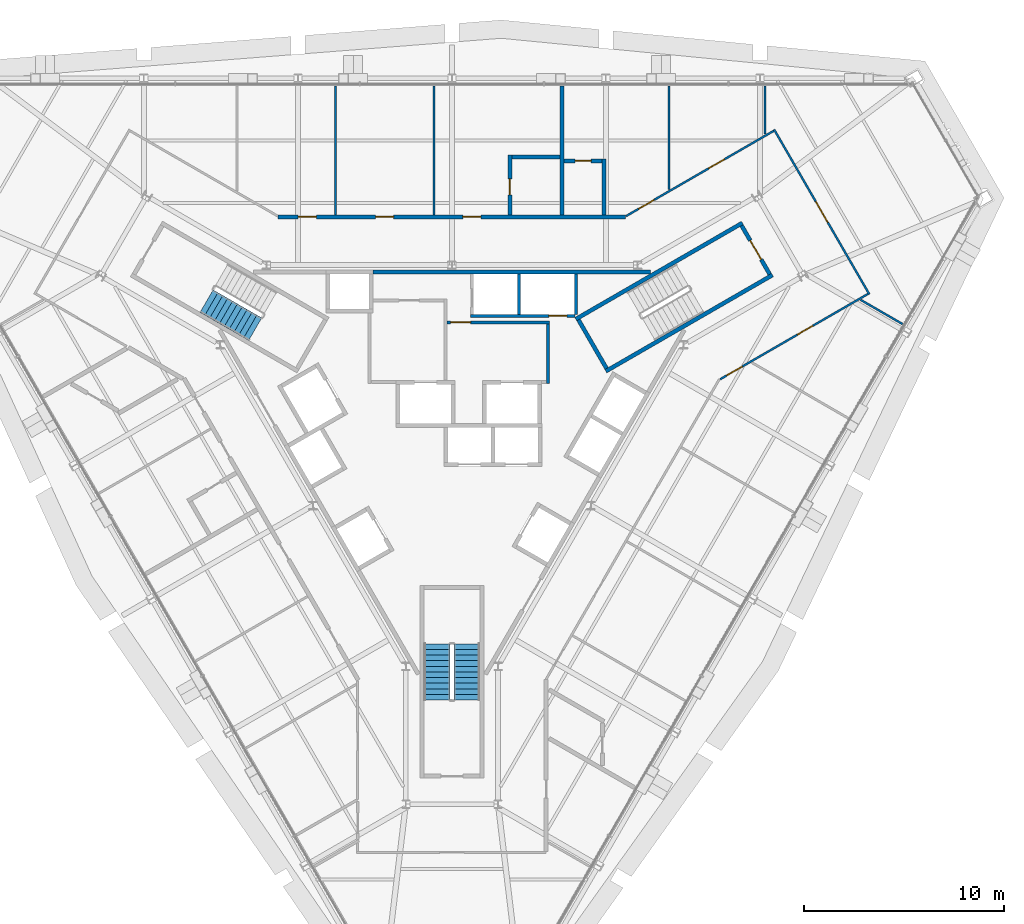
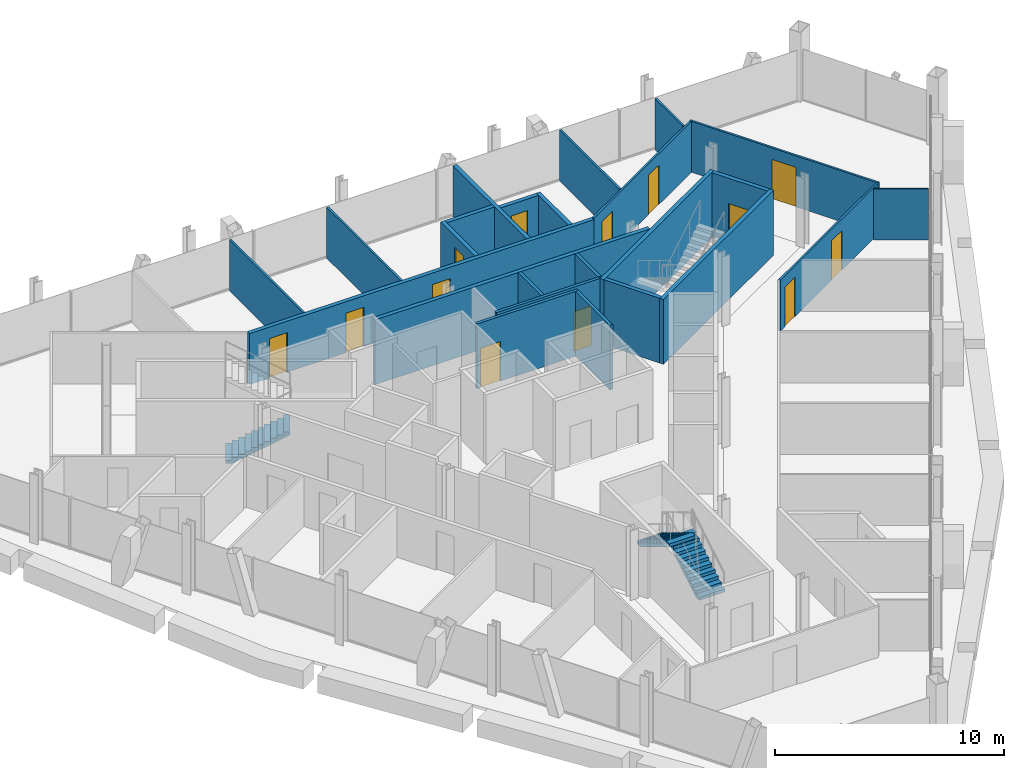
# One storey, part 10 of 13: 24 walls, 13 doors, 3 stair flights, 13 openings, 2 elements without a shape of their own.
"""IFC4 building model written with IfcOpenShell, lengths in metres."""

from ifc_helpers import new_model, si_unit, direction, frame, frame_2d, origin, place, context, subcontext, project, spatial, polyline, rectangle, outline, extrude, material, layer, layer_set, type_object, element, fill, aggregate, save


model = new_model("IFC4")

# Units and contexts
model_context = context("Model", 3, precision=1e-05, world=origin(), true_north=direction((0.0, 1.0)))
body_context = subcontext(model_context, "Body", "Model", "MODEL_VIEW")
ifc_project = project(units=[si_unit("LENGTHUNIT", "METRE"), si_unit("AREAUNIT", "SQUARE_METRE"), si_unit("VOLUMEUNIT", "CUBIC_METRE"), si_unit("PLANEANGLEUNIT", "RADIAN"), si_unit("MASSUNIT", "GRAM", prefix="KILO")], contexts=[model_context])

# Site, building, storey
site_placement = place(None, origin())
site = spatial("IfcSite", under=ifc_project, at=site_placement, CompositionType="ELEMENT")
building_placement = place(site_placement, origin())
building = spatial("IfcBuilding", under=site, at=building_placement, Name="Verrane Prism Tower", CompositionType="ELEMENT")
storey_placement = place(building_placement, frame((0.0, 0.0, 163.60009765625)))
storey = spatial("IfcBuildingStorey", under=building, at=storey_placement, Name="L40", CompositionType="ELEMENT", Elevation=163.60009765625)

# Wall
ifc_material_1 = material(Name="Gypsum board partition", Category="other")
ifc_layer_1 = layer(ifc_material_1, 0.199951171875)
ifc_layer_set_1 = layer_set([ifc_layer_1], Name="CW-200 core boundary wall 2 h")
wall_type_1 = type_object("IfcWallType", Name="CW-200 core boundary wall 2 h", PredefinedType="PARTITIONING", material=ifc_layer_set_1)
wall_1_placement = place(storey_placement, frame((-3.93310546875, 7.659912109375, 0.0), z_axis=(0.0, 0.0, 1.0), x_axis=(1.0, 0.0, 0.0)))
element("IfcWall", 1, at=wall_1_placement, inside=storey, type_object=wall_type_1, Name="Core boundary wall CW3-005", PredefinedType="PARTITIONING", context=body_context, shape_type="SweptSolid", body=[
    extrude(rectangle(XDim=13.841064453125, YDim=0.199951171875, at=frame_2d((6.92041015625, 0.0))), origin(), (0.0, 0.0, 1.0), 3.449951171875),
])

# Wall, opening, door
ifc_material_2 = material(Name="Concrete C40/50", Category="concrete")
ifc_layer_2 = layer(ifc_material_2, 0.199951171875)
ifc_layer_set_2 = layer_set([ifc_layer_2], Name="CW-200 stair core wall concrete C40/50 3 h")
wall_type_2 = type_object("IfcWallType", Name="CW-200 stair core wall concrete C40/50 3 h", PredefinedType="PARTITIONING", material=ifc_layer_set_2)
wall_2_placement = place(storey_placement, frame((15.85546875, 7.53759765625, 0.0), z_axis=(0.0, 0.0, 1.0), x_axis=(-0.500049511043, 0.865996816683, 0.0)))
wall_2 = element("IfcWall", 2, at=wall_2_placement, inside=storey, type_object=wall_type_2, Name="Stair 1 enclosure wall", PredefinedType="PARTITIONING", context=body_context, shape_type="SweptSolid", body=[
    extrude(rectangle(XDim=2.800048828125, YDim=0.199951171875, at=frame_2d((1.39990234375, 0.0))), origin(), (0.0, 0.0, 1.0), 3.449951171875),
])
opening_1_placement = place(wall_2_placement, frame((0.849853515625, 0.0, 0.0)))
opening_1 = element("IfcOpeningElement", 3, at=opening_1_placement, cuts=wall_2, Name="Opening D39500", PredefinedType="OPENING", context=body_context, shape_type="SweptSolid", body=[
    extrude(rectangle(XDim=1.10009765625, YDim=2.10009765625, at=frame_2d((0.550048828125, 1.050048828125))), frame((0.0, 0.10986328125, 0.0), z_axis=(0.0, -1.0, 0.0), x_axis=(1.0, 0.0, 0.0)), (0.0, 0.0, 1.0), 0.219970703125),
])
ifc_material_3 = material(Name="Timber veneered door leaf", Category="wood")
door_type_1 = type_object("IfcDoorType", Name="DR-1100x2100 FD90 single leaf stair", OperationType="NOTDEFINED", PredefinedType="DOOR", material=ifc_material_3)
door_1_placement = place(opening_1_placement, origin())
door_1 = element("IfcDoor", 4, at=door_1_placement, inside=storey, type_object=door_type_1, Name="Stair 1 door", OperationType="SINGLE_SWING_LEFT", OverallHeight=2.10009765625, OverallWidth=1.10009765625, PredefinedType="DOOR", context=body_context, shape_type="SweptSolid", body=[
    extrude(rectangle(XDim=1.10009765625, YDim=2.10009765625, at=frame_2d((0.550048828125, 1.050048828125))), frame((0.0, 0.02490234375, 0.0), z_axis=(0.0, -1.0, 0.0), x_axis=(1.0, 0.0, 0.0)), (0.0, 0.0, 1.0), 0.050048828125),
])
fill(opening_1, door_1)

# Walls
for number, where, z_axis, x_axis, name in (
    (5, (6.17822265625, 5.299072265625, 0.0), (0.0, 0.0, 1.0), (0.866019993635, 0.500009370536, 0.0), "Stair 1 enclosure wall"),
    (6, (7.67822265625, 2.700927734375, 0.0), (0.0, 0.0, 1.0), (0.866019993635, 0.500009370536, 0.0), "Stair 1 enclosure wall"),
):
    element("IfcWall", number, at=place(storey_placement, frame(where, z_axis=z_axis, x_axis=x_axis)), inside=storey, type_object=wall_type_2, Name=name, PredefinedType="PARTITIONING", context=body_context, shape_type="SweptSolid", body=[
        extrude(rectangle(XDim=9.599853515625, YDim=0.199951171875, at=frame_2d((4.7998046875, 0.0))), origin(), (0.0, 0.0, 1.0), 3.449951171875),
    ])
wall_3_placement = place(storey_placement, frame((7.71484375, 2.837646484375, 0.0), z_axis=(0.0, 0.0, 1.0), x_axis=(-0.500049511043, 0.865996816683, 0.0)))
element("IfcWall", 7, at=wall_3_placement, inside=storey, type_object=wall_type_2, Name="Stair 1 enclosure wall", PredefinedType="PARTITIONING", context=body_context, shape_type="SweptSolid", body=[
    extrude(rectangle(XDim=2.800048828125, YDim=0.199951171875, at=frame_2d((1.39990234375, 0.0))), origin(), (0.0, 0.0, 1.0), 3.449951171875),
])

# Wall, opening, door
ifc_material_4 = material(Name="Gypsum board partition", Category="other")
ifc_layer_3 = layer(ifc_material_4, 0.14990234375)
ifc_layer_set_3 = layer_set([ifc_layer_3], Name="LF-150 firefighting lobby wall 1 h")
wall_type_3 = type_object("IfcWallType", Name="LF-150 firefighting lobby wall 1 h", PredefinedType="PARTITIONING", material=ifc_layer_set_3)
wall_4_placement = place(storey_placement, frame((-0.2451171875, 5.139892578125, 0.0), z_axis=(0.0, 0.0, 1.0), x_axis=(1.0, 0.0, 0.0)))
wall_4 = element("IfcWall", 8, at=wall_4_placement, inside=storey, type_object=wall_type_3, Name="Firefighting lobby wall LF1-005", PredefinedType="PARTITIONING", context=body_context, shape_type="SweptSolid", body=[
    extrude(rectangle(XDim=5.110107421875, YDim=0.14990234375, at=frame_2d((2.55517578125, 0.0))), origin(), (0.0, 0.0, 1.0), 3.449951171875),
])
opening_2_placement = place(wall_4_placement, frame((0.175048828125, 0.0, 0.0)))
opening_2 = element("IfcOpeningElement", 9, at=opening_2_placement, cuts=wall_4, Name="Opening D39512", PredefinedType="OPENING", context=body_context, shape_type="SweptSolid", body=[
    extrude(rectangle(XDim=1.0, YDim=2.10009765625, at=frame_2d((0.5, 1.050048828125))), frame((0.0, 0.0849609375, 0.0), z_axis=(0.0, -1.0, 0.0), x_axis=(1.0, 0.0, 0.0)), (0.0, 0.0, 1.0), 0.169921875),
])
ifc_material_5 = material(Name="Timber veneered door leaf", Category="wood")
door_type_2 = type_object("IfcDoorType", Name="DR-1000x2100 FD60 single leaf firefighting lobby", OperationType="NOTDEFINED", PredefinedType="DOOR", material=ifc_material_5)
door_2_placement = place(opening_2_placement, origin())
door_2 = element("IfcDoor", 10, at=door_2_placement, inside=storey, type_object=door_type_2, Name="Firefighting lobby door D39512", OperationType="SINGLE_SWING_LEFT", OverallHeight=2.10009765625, OverallWidth=1.0, PredefinedType="DOOR", context=body_context, shape_type="SweptSolid", body=[
    extrude(rectangle(XDim=1.0, YDim=2.10009765625, at=frame_2d((0.5, 1.050048828125))), frame((0.0, 0.02490234375, 0.0), z_axis=(0.0, -1.0, 0.0), x_axis=(1.0, 0.0, 0.0)), (0.0, 0.0, 1.0), 0.050048828125),
])
fill(opening_2, door_2)

# Walls
wall_5_placement = place(storey_placement, frame((4.7900390625, 2.0849609375, 0.0), z_axis=(0.0, 0.0, 1.0), x_axis=(0.0, 1.0, 0.0)))
element("IfcWall", 11, at=wall_5_placement, inside=storey, type_object=wall_type_3, Name="Firefighting lobby wall LF1-007", PredefinedType="PARTITIONING", context=body_context, shape_type="SweptSolid", body=[
    extrude(rectangle(XDim=2.97998046875, YDim=0.14990234375, at=frame_2d((1.489990234375, 0.0))), origin(), (0.0, 0.0, 1.0), 3.449951171875),
])
ifc_material_6 = material(Name="Gypsum board partition", Category="other")
ifc_layer_4 = layer(ifc_material_6, 0.10009765625)
ifc_layer_set_4 = layer_set([ifc_layer_4], Name="PW-100 room partition")
wall_type_4 = type_object("IfcWallType", Name="PW-100 room partition", PredefinedType="PARTITIONING", material=ifc_layer_set_4)
for number, where, z_axis, x_axis, name in (
    (12, (-5.81005859375, 10.5, 0.0), (0.0, 0.0, 1.0), (0.0, 1.0, 0.0), "Room partition 020"),
    (13, (-0.906005859375, 10.5, 0.0), (0.0, 0.0, 1.0), (0.0, 1.0, 0.0), "Room partition 025"),
):
    element("IfcWall", number, at=place(storey_placement, frame(where, z_axis=z_axis, x_axis=x_axis)), inside=storey, type_object=wall_type_4, Name=name, PredefinedType="PARTITIONING", context=body_context, shape_type="SweptSolid", body=[
        extrude(rectangle(XDim=6.43505859375, YDim=0.10009765625, at=frame_2d((3.217529296875, 0.0))), origin(), (0.0, 0.0, 1.0), 2.712890625),
    ])

# Wall, openings, doors
wall_6_placement = place(storey_placement, frame((8.690673828125, 10.4423828125, 0.0), z_axis=(0.0, 0.0, 1.0), x_axis=(0.866070360466, 0.499922124658, 0.0)))
wall_6 = element("IfcWall", 14, at=wall_6_placement, inside=storey, type_object=wall_type_4, Name="Room partition 038", PredefinedType="PARTITIONING", context=body_context, shape_type="SweptSolid", body=[
    extrude(rectangle(XDim=8.502685546875, YDim=0.10009765625, at=frame_2d((4.25146484375, 0.0))), origin(), (0.0, 0.0, 1.0), 2.712890625),
])
opening_3_placement = place(wall_6_placement, frame((4.758056640625, 0.0, 0.0)))
opening_3 = element("IfcOpeningElement", 15, at=opening_3_placement, cuts=wall_6, Name="Opening D39009", PredefinedType="OPENING", context=body_context, shape_type="SweptSolid", body=[
    extrude(rectangle(XDim=0.89990234375, YDim=2.10009765625, at=frame_2d((0.449951171875, 1.050048828125))), frame((0.0, 0.06005859375, 0.0), z_axis=(0.0, -1.0, 0.0), x_axis=(1.0, 0.0, 0.0)), (0.0, 0.0, 1.0), 0.1201171875),
])
opening_4_placement = place(wall_6_placement, frame((0.715087890625, 0.0, 0.0)))
opening_4 = element("IfcOpeningElement", 16, at=opening_4_placement, cuts=wall_6, Name="Opening D39010", PredefinedType="OPENING", context=body_context, shape_type="SweptSolid", body=[
    extrude(rectangle(XDim=0.89990234375, YDim=2.10009765625, at=frame_2d((0.449951171875, 1.050048828125))), frame((0.0, 0.06005859375, 0.0), z_axis=(0.0, -1.0, 0.0), x_axis=(1.0, 0.0, 0.0)), (0.0, 0.0, 1.0), 0.1201171875),
])
ifc_material_7 = material(Name="Timber veneered door leaf", Category="wood")
door_type_3 = type_object("IfcDoorType", Name="DR-900x2100 single leaf inner", OperationType="NOTDEFINED", PredefinedType="DOOR", material=ifc_material_7)
door_3_placement = place(opening_4_placement, origin())
door_3 = element("IfcDoor", 17, at=door_3_placement, inside=storey, type_object=door_type_3, Name="Bedroom door", OperationType="SINGLE_SWING_RIGHT", OverallHeight=2.10009765625, OverallWidth=0.89990234375, PredefinedType="DOOR", context=body_context, shape_type="SweptSolid", body=[
    extrude(rectangle(XDim=0.89990234375, YDim=2.10009765625, at=frame_2d((0.449951171875, 1.050048828125))), frame((0.0, 0.02490234375, 0.0), z_axis=(0.0, -1.0, 0.0), x_axis=(1.0, 0.0, 0.0)), (0.0, 0.0, 1.0), 0.050048828125),
])
fill(opening_4, door_3)
ifc_material_8 = material(Name="Timber veneered door leaf", Category="wood")
door_type_4 = type_object("IfcDoorType", Name="DR-900x2100 single leaf unit", OperationType="NOTDEFINED", PredefinedType="DOOR", material=ifc_material_8)
door_4_placement = place(opening_3_placement, origin())
door_4 = element("IfcDoor", 18, at=door_4_placement, inside=storey, type_object=door_type_4, Name="Kitchen door", OperationType="SINGLE_SWING_LEFT", OverallHeight=2.10009765625, OverallWidth=0.89990234375, PredefinedType="DOOR", context=body_context, shape_type="SweptSolid", body=[
    extrude(rectangle(XDim=0.89990234375, YDim=2.10009765625, at=frame_2d((0.449951171875, 1.050048828125))), frame((0.0, 0.02490234375, 0.0), z_axis=(0.0, -1.0, 0.0), x_axis=(1.0, 0.0, 0.0)), (0.0, 0.0, 1.0), 0.050048828125),
])
fill(opening_3, door_4)

# Wall
wall_7_placement = place(storey_placement, frame((10.820068359375, 11.757568359375, 0.0), z_axis=(0.0, 0.0, 1.0), x_axis=(0.0, 1.0, 0.0)))
element("IfcWall", 19, at=wall_7_placement, inside=storey, type_object=wall_type_4, Name="Room partition 040", PredefinedType="PARTITIONING", context=body_context, shape_type="SweptSolid", body=[
    extrude(rectangle(XDim=5.177490234375, YDim=0.10009765625, at=frame_2d((2.5888671875, 0.0))), origin(), (0.0, 0.0, 1.0), 2.712890625),
])

# Wall, openings, doors
wall_8_placement = place(storey_placement, frame((20.755615234375, 6.556884765625, 0.0), z_axis=(0.0, 0.0, 1.0), x_axis=(-0.866069146081, -0.499924228466, 0.0)))
wall_8 = element("IfcWall", 20, at=wall_8_placement, inside=storey, type_object=wall_type_4, Name="Room partition 042", PredefinedType="PARTITIONING", context=body_context, shape_type="SweptSolid", body=[
    extrude(rectangle(XDim=8.518798828125, YDim=0.10009765625, at=frame_2d((4.25927734375, 0.0))), origin(), (0.0, 0.0, 1.0), 2.712890625),
])
opening_5_placement = place(wall_8_placement, frame((7.239013671875, 0.0, 0.0)))
opening_5 = element("IfcOpeningElement", 21, at=opening_5_placement, cuts=wall_8, Name="Opening D39006", PredefinedType="OPENING", context=body_context, shape_type="SweptSolid", body=[
    extrude(rectangle(XDim=0.89990234375, YDim=2.10009765625, at=frame_2d((0.449951171875, 1.050048828125))), frame((0.0, 0.06005859375, 0.0), z_axis=(0.0, -1.0, 0.0), x_axis=(1.0, 0.0, 0.0)), (0.0, 0.0, 1.0), 0.1201171875),
])
opening_6_placement = place(wall_8_placement, frame((3.169189453125, 0.0, 0.0)))
opening_6 = element("IfcOpeningElement", 22, at=opening_6_placement, cuts=wall_8, Name="Opening D39007", PredefinedType="OPENING", context=body_context, shape_type="SweptSolid", body=[
    extrude(rectangle(XDim=0.89990234375, YDim=2.10009765625, at=frame_2d((0.449951171875, 1.050048828125))), frame((0.0, 0.06005859375, 0.0), z_axis=(0.0, -1.0, 0.0), x_axis=(1.0, 0.0, 0.0)), (0.0, 0.0, 1.0), 0.1201171875),
])
door_5_placement = place(opening_5_placement, origin())
door_5 = element("IfcDoor", 23, at=door_5_placement, inside=storey, type_object=door_type_4, Name="Study door", OperationType="SINGLE_SWING_LEFT", OverallHeight=2.10009765625, OverallWidth=0.89990234375, PredefinedType="DOOR", context=body_context, shape_type="SweptSolid", body=[
    extrude(rectangle(XDim=0.89990234375, YDim=2.10009765625, at=frame_2d((0.449951171875, 1.050048828125))), frame((0.0, 0.02490234375, 0.0), z_axis=(0.0, -1.0, 0.0), x_axis=(1.0, 0.0, 0.0)), (0.0, 0.0, 1.0), 0.050048828125),
])
fill(opening_5, door_5)
door_6_placement = place(opening_6_placement, origin())
door_6 = element("IfcDoor", 24, at=door_6_placement, inside=storey, type_object=door_type_4, Name="Study door", OperationType="SINGLE_SWING_RIGHT", OverallHeight=2.10009765625, OverallWidth=0.89990234375, PredefinedType="DOOR", context=body_context, shape_type="SweptSolid", body=[
    extrude(rectangle(XDim=0.89990234375, YDim=2.10009765625, at=frame_2d((0.449951171875, 1.050048828125))), frame((0.0, 0.02490234375, 0.0), z_axis=(0.0, -1.0, 0.0), x_axis=(1.0, 0.0, 0.0)), (0.0, 0.0, 1.0), 0.050048828125),
])
fill(opening_6, door_6)

# Wall
wall_9_placement = place(storey_placement, frame((15.616943359375, 14.526611328125, 0.0), z_axis=(0.0, 0.0, 1.0), x_axis=(0.0, 1.0, 0.0)))
element("IfcWall", 25, at=wall_9_placement, inside=storey, type_object=wall_type_4, Name="Room partition 044", PredefinedType="PARTITIONING", context=body_context, shape_type="SweptSolid", body=[
    extrude(rectangle(XDim=2.408447265625, YDim=0.10009765625, at=frame_2d((1.2041015625, 0.0))), origin(), (0.0, 0.0, 1.0), 2.712890625),
])

# Wall, opening, door
wall_10_placement = place(storey_placement, frame((16.072998046875, 14.76123046875, 0.0), z_axis=(0.0, 0.0, 1.0), x_axis=(0.500297300687, -0.865853689098, 0.0)))
wall_10 = element("IfcWall", 26, at=wall_10_placement, inside=storey, type_object=wall_type_4, Name="Room partition 045", PredefinedType="PARTITIONING", context=body_context, shape_type="SweptSolid", body=[
    extrude(rectangle(XDim=9.496337890625, YDim=0.10009765625, at=frame_2d((4.748046875, 0.0))), origin(), (0.0, 0.0, 1.0), 2.712890625),
])
opening_7_placement = place(wall_10_placement, frame((4.14990234375, 0.0, 0.0)))
opening_7 = element("IfcOpeningElement", 27, at=opening_7_placement, cuts=wall_10, Name="Opening D39008", PredefinedType="OPENING", context=body_context, shape_type="SweptSolid", body=[
    extrude(rectangle(XDim=1.199951171875, YDim=2.10009765625, at=frame_2d((0.60009765625, 1.050048828125))), frame((0.0, 0.06005859375, 0.0), z_axis=(0.0, -1.0, 0.0), x_axis=(1.0, 0.0, 0.0)), (0.0, 0.0, 1.0), 0.1201171875),
])
ifc_material_9 = material(Name="Timber veneered door leaf", Category="wood")
door_type_5 = type_object("IfcDoorType", Name="DR-1200x2100 single leaf unit", OperationType="NOTDEFINED", PredefinedType="DOOR", material=ifc_material_9)
door_7_placement = place(opening_7_placement, origin())
door_7 = element("IfcDoor", 28, at=door_7_placement, inside=storey, type_object=door_type_5, Name="Living And Dining Room door", OperationType="SINGLE_SWING_RIGHT", OverallHeight=2.10009765625, OverallWidth=1.199951171875, PredefinedType="DOOR", context=body_context, shape_type="SweptSolid", body=[
    extrude(rectangle(XDim=1.199951171875, YDim=2.10009765625, at=frame_2d((0.60009765625, 1.050048828125))), frame((0.0, 0.02490234375, 0.0), z_axis=(0.0, -1.0, 0.0), x_axis=(1.0, 0.0, 0.0)), (0.0, 0.0, 1.0), 0.050048828125),
])
fill(opening_7, door_7)

# Wall
wall_11_placement = place(storey_placement, frame((20.39208984375, 6.2607421875, 0.0), z_axis=(0.0, 0.0, 1.0), x_axis=(0.865953976614, -0.500123695086, 0.0)))
element("IfcWall", 29, at=wall_11_placement, inside=storey, type_object=wall_type_4, Name="Room partition 046", PredefinedType="PARTITIONING", context=body_context, shape_type="SweptSolid", body=[
    extrude(rectangle(XDim=2.4052734375, YDim=0.10009765625, at=frame_2d((1.20263671875, 0.0))), origin(), (0.0, 0.0, 1.0), 2.712890625),
])

# Wall, openings, doors
ifc_material_10 = material(Name="Gypsum board partition", Category="other")
ifc_layer_5 = layer(ifc_material_10, 0.199951171875)
ifc_layer_set_5 = layer_set([ifc_layer_5], Name="PW-200 plumbing wall")
wall_type_5 = type_object("IfcWallType", Name="PW-200 plumbing wall", PredefinedType="PARTITIONING", material=ifc_layer_set_5)
wall_12_placement = place(storey_placement, frame((-8.6669921875, 10.39990234375, 0.0), z_axis=(0.0, 0.0, 1.0), x_axis=(1.0, 0.0, 0.0)))
wall_12 = element("IfcWall", 30, at=wall_12_placement, inside=storey, type_object=wall_type_5, Name="Plumbing wall 017", PredefinedType="PARTITIONING", context=body_context, shape_type="SweptSolid", body=[
    extrude(rectangle(XDim=17.333984375, YDim=0.199951171875, at=frame_2d((8.6669921875, 0.0))), origin(), (0.0, 0.0, 1.0), 2.712890625),
])
opening_8_placement = place(wall_12_placement, frame((9.2109375, 0.0, 0.0)))
opening_8 = element("IfcOpeningElement", 31, at=opening_8_placement, cuts=wall_12, Name="Opening D39012", PredefinedType="OPENING", context=body_context, shape_type="SweptSolid", body=[
    extrude(rectangle(XDim=0.89990234375, YDim=2.10009765625, at=frame_2d((0.449951171875, 1.050048828125))), frame((0.0, 0.10986328125, 0.0), z_axis=(0.0, -1.0, 0.0), x_axis=(1.0, 0.0, 0.0)), (0.0, 0.0, 1.0), 0.219970703125),
])
opening_9_placement = place(wall_12_placement, frame((4.85693359375, 0.0, 0.0)))
opening_9 = element("IfcOpeningElement", 32, at=opening_9_placement, cuts=wall_12, Name="Opening D39014", PredefinedType="OPENING", context=body_context, shape_type="SweptSolid", body=[
    extrude(rectangle(XDim=0.89990234375, YDim=2.10009765625, at=frame_2d((0.449951171875, 1.050048828125))), frame((0.0, 0.10986328125, 0.0), z_axis=(0.0, -1.0, 0.0), x_axis=(1.0, 0.0, 0.0)), (0.0, 0.0, 1.0), 0.219970703125),
])
opening_10_placement = place(wall_12_placement, frame((1.0, 0.0, 0.0)))
opening_10 = element("IfcOpeningElement", 33, at=opening_10_placement, cuts=wall_12, Name="Opening D39015", PredefinedType="OPENING", context=body_context, shape_type="SweptSolid", body=[
    extrude(rectangle(XDim=0.89990234375, YDim=2.10009765625, at=frame_2d((0.449951171875, 1.050048828125))), frame((0.0, 0.10986328125, 0.0), z_axis=(0.0, -1.0, 0.0), x_axis=(1.0, 0.0, 0.0)), (0.0, 0.0, 1.0), 0.219970703125),
])
door_8_placement = place(opening_8_placement, origin())
door_8 = element("IfcDoor", 34, at=door_8_placement, inside=storey, type_object=door_type_3, Name="Master Bedroom door", OperationType="SINGLE_SWING_RIGHT", OverallHeight=2.10009765625, OverallWidth=0.89990234375, PredefinedType="DOOR", context=body_context, shape_type="SweptSolid", body=[
    extrude(rectangle(XDim=0.89990234375, YDim=2.10009765625, at=frame_2d((0.449951171875, 1.050048828125))), frame((0.0, 0.02490234375, 0.0), z_axis=(0.0, -1.0, 0.0), x_axis=(1.0, 0.0, 0.0)), (0.0, 0.0, 1.0), 0.050048828125),
])
fill(opening_8, door_8)
door_9_placement = place(opening_9_placement, origin())
door_9 = element("IfcDoor", 35, at=door_9_placement, inside=storey, type_object=door_type_4, Name="Utility Room door", OperationType="SINGLE_SWING_RIGHT", OverallHeight=2.10009765625, OverallWidth=0.89990234375, PredefinedType="DOOR", context=body_context, shape_type="SweptSolid", body=[
    extrude(rectangle(XDim=0.89990234375, YDim=2.10009765625, at=frame_2d((0.449951171875, 1.050048828125))), frame((0.0, 0.02490234375, 0.0), z_axis=(0.0, -1.0, 0.0), x_axis=(1.0, 0.0, 0.0)), (0.0, 0.0, 1.0), 0.050048828125),
])
fill(opening_9, door_9)
door_10_placement = place(opening_10_placement, origin())
door_10 = element("IfcDoor", 36, at=door_10_placement, inside=storey, type_object=door_type_4, Name="Utility Room door", OperationType="SINGLE_SWING_LEFT", OverallHeight=2.10009765625, OverallWidth=0.89990234375, PredefinedType="DOOR", context=body_context, shape_type="SweptSolid", body=[
    extrude(rectangle(XDim=0.89990234375, YDim=2.10009765625, at=frame_2d((0.449951171875, 1.050048828125))), frame((0.0, 0.02490234375, 0.0), z_axis=(0.0, -1.0, 0.0), x_axis=(1.0, 0.0, 0.0)), (0.0, 0.0, 1.0), 0.050048828125),
])
fill(opening_10, door_10)

# Wall, opening, door
wall_13_placement = place(storey_placement, frame((2.889892578125, 13.5, 0.0), z_axis=(0.0, 0.0, 1.0), x_axis=(0.0, -1.0, 0.0)))
wall_13 = element("IfcWall", 37, at=wall_13_placement, inside=storey, type_object=wall_type_5, Name="Plumbing wall 026", PredefinedType="PARTITIONING", context=body_context, shape_type="SweptSolid", body=[
    extrude(rectangle(XDim=3.0, YDim=0.199951171875, at=frame_2d((1.5, 0.0))), origin(), (0.0, 0.0, 1.0), 2.712890625),
])
opening_11_placement = place(wall_13_placement, frame((1.199951171875, 0.0, 0.0)))
opening_11 = element("IfcOpeningElement", 38, at=opening_11_placement, cuts=wall_13, Name="Opening D39013", PredefinedType="OPENING", context=body_context, shape_type="SweptSolid", body=[
    extrude(rectangle(XDim=0.800048828125, YDim=2.10009765625, at=frame_2d((0.39990234375, 1.050048828125))), frame((0.0, 0.10986328125, 0.0), z_axis=(0.0, -1.0, 0.0), x_axis=(1.0, 0.0, 0.0)), (0.0, 0.0, 1.0), 0.219970703125),
])
ifc_material_11 = material(Name="Timber veneered door leaf", Category="wood")
door_type_6 = type_object("IfcDoorType", Name="DR-800x2100 single leaf bath", OperationType="NOTDEFINED", PredefinedType="DOOR", material=ifc_material_11)
door_11_placement = place(opening_11_placement, origin())
door_11 = element("IfcDoor", 39, at=door_11_placement, inside=storey, type_object=door_type_6, Name="Master Bathroom door", OperationType="SINGLE_SWING_RIGHT", OverallHeight=2.10009765625, OverallWidth=0.800048828125, PredefinedType="DOOR", context=body_context, shape_type="SweptSolid", body=[
    extrude(rectangle(XDim=0.800048828125, YDim=2.10009765625, at=frame_2d((0.39990234375, 1.050048828125))), frame((0.0, 0.02490234375, 0.0), z_axis=(0.0, -1.0, 0.0), x_axis=(1.0, 0.0, 0.0)), (0.0, 0.0, 1.0), 0.050048828125),
])
fill(opening_11, door_11)

# Walls
wall_14_placement = place(storey_placement, frame((2.989990234375, 13.39990234375, 0.0), z_axis=(0.0, 0.0, 1.0), x_axis=(1.0, 0.0, 0.0)))
element("IfcWall", 40, at=wall_14_placement, inside=storey, type_object=wall_type_5, Name="Plumbing wall 027", PredefinedType="PARTITIONING", context=body_context, shape_type="SweptSolid", body=[
    extrude(rectangle(XDim=2.39990234375, YDim=0.199951171875, at=frame_2d((1.199951171875, 0.0))), origin(), (0.0, 0.0, 1.0), 2.712890625),
])
wall_15_placement = place(storey_placement, frame((5.489990234375, 10.5, 0.0), z_axis=(0.0, 0.0, 1.0), x_axis=(0.0, 1.0, 0.0)))
element("IfcWall", 41, at=wall_15_placement, inside=storey, type_object=wall_type_5, Name="Plumbing wall 033", PredefinedType="PARTITIONING", context=body_context, shape_type="SweptSolid", body=[
    extrude(rectangle(XDim=6.43505859375, YDim=0.199951171875, at=frame_2d((3.217529296875, 0.0))), origin(), (0.0, 0.0, 1.0), 2.712890625),
])

# Wall, opening, door
wall_16_placement = place(storey_placement, frame((7.489990234375, 13.199951171875, 0.0), z_axis=(0.0, 0.0, 1.0), x_axis=(-1.0, 0.0, 0.0)))
wall_16 = element("IfcWall", 42, at=wall_16_placement, inside=storey, type_object=wall_type_5, Name="Plumbing wall 034", PredefinedType="PARTITIONING", context=body_context, shape_type="SweptSolid", body=[
    extrude(rectangle(XDim=1.89990234375, YDim=0.199951171875, at=frame_2d((0.949951171875, 0.0))), origin(), (0.0, 0.0, 1.0), 2.712890625),
])
opening_12_placement = place(wall_16_placement, frame((0.550048828125, 0.0, 0.0)))
opening_12 = element("IfcOpeningElement", 43, at=opening_12_placement, cuts=wall_16, Name="Opening D39011", PredefinedType="OPENING", context=body_context, shape_type="SweptSolid", body=[
    extrude(rectangle(XDim=0.800048828125, YDim=2.10009765625, at=frame_2d((0.39990234375, 1.050048828125))), frame((0.0, 0.10986328125, 0.0), z_axis=(0.0, -1.0, 0.0), x_axis=(1.0, 0.0, 0.0)), (0.0, 0.0, 1.0), 0.219970703125),
])
door_12_placement = place(opening_12_placement, origin())
door_12 = element("IfcDoor", 44, at=door_12_placement, inside=storey, type_object=door_type_6, Name="Bathroom door", OperationType="SINGLE_SWING_RIGHT", OverallHeight=2.10009765625, OverallWidth=0.800048828125, PredefinedType="DOOR", context=body_context, shape_type="SweptSolid", body=[
    extrude(rectangle(XDim=0.800048828125, YDim=2.10009765625, at=frame_2d((0.39990234375, 1.050048828125))), frame((0.0, 0.02490234375, 0.0), z_axis=(0.0, -1.0, 0.0), x_axis=(1.0, 0.0, 0.0)), (0.0, 0.0, 1.0), 0.050048828125),
])
fill(opening_12, door_12)

# Wall
wall_17_placement = place(storey_placement, frame((7.590087890625, 10.5, 0.0), z_axis=(0.0, 0.0, 1.0), x_axis=(0.0, 1.0, 0.0)))
element("IfcWall", 45, at=wall_17_placement, inside=storey, type_object=wall_type_5, Name="Plumbing wall 037", PredefinedType="PARTITIONING", context=body_context, shape_type="SweptSolid", body=[
    extrude(rectangle(XDim=2.800048828125, YDim=0.199951171875, at=frame_2d((1.39990234375, 0.0))), origin(), (0.0, 0.0, 1.0), 2.712890625),
])

# Wall, opening, door
ifc_material_12 = material(Name="Gypsum board partition", Category="other")
ifc_layer_6 = layer(ifc_material_12, 0.14990234375)
ifc_layer_set_6 = layer_set([ifc_layer_6], Name="RS-150 riser enclosure wall 1 h")
wall_type_6 = type_object("IfcWallType", Name="RS-150 riser enclosure wall 1 h", PredefinedType="PARTITIONING", material=ifc_layer_set_6)
wall_18_placement = place(storey_placement, frame((0.925048828125, 5.4599609375, 0.0), z_axis=(0.0, 0.0, 1.0), x_axis=(1.0, 0.0, 0.0)))
wall_18 = element("IfcWall", 46, at=wall_18_placement, inside=storey, type_object=wall_type_6, Name="Riser wall RS3-002", PredefinedType="PARTITIONING", context=body_context, shape_type="SweptSolid", body=[
    extrude(rectangle(XDim=5.219970703125, YDim=0.14990234375, at=frame_2d((2.60986328125, 0.0))), origin(), (0.0, 0.0, 1.0), 3.449951171875),
])
opening_13_placement = place(wall_18_placement, frame((3.9150390625, 0.0, 0.0)))
opening_13 = element("IfcOpeningElement", 47, at=opening_13_placement, cuts=wall_18, Name="Opening D39514", PredefinedType="OPENING", context=body_context, shape_type="SweptSolid", body=[
    extrude(rectangle(XDim=0.89990234375, YDim=2.10009765625, at=frame_2d((0.449951171875, 1.050048828125))), frame((0.0, 0.0849609375, 0.0), z_axis=(0.0, -1.0, 0.0), x_axis=(1.0, 0.0, 0.0)), (0.0, 0.0, 1.0), 0.169921875),
])
ifc_material_13 = material(Name="Timber veneered door leaf", Category="wood")
door_type_7 = type_object("IfcDoorType", Name="DR-900x2100 FD60 single leaf riser", OperationType="NOTDEFINED", PredefinedType="DOOR", material=ifc_material_13)
door_13_placement = place(opening_13_placement, origin())
door_13 = element("IfcDoor", 48, at=door_13_placement, inside=storey, type_object=door_type_7, Name="Riser door D39514", OperationType="SINGLE_SWING_RIGHT", OverallHeight=2.10009765625, OverallWidth=0.89990234375, PredefinedType="DOOR", context=body_context, shape_type="SweptSolid", body=[
    extrude(rectangle(XDim=0.89990234375, YDim=2.10009765625, at=frame_2d((0.449951171875, 1.050048828125))), frame((0.0, 0.02490234375, 0.0), z_axis=(0.0, -1.0, 0.0), x_axis=(1.0, 0.0, 0.0)), (0.0, 0.0, 1.0), 0.050048828125),
])
fill(opening_13, door_13)

# Walls
for number, where, z_axis, x_axis, name in (
    (49, (3.340087890625, 5.534912109375, 0.0), (0.0, 0.0, 1.0), (0.0, 1.0, 0.0), "Riser wall RS3-003"),
    (50, (6.199951171875, 5.534912109375, 0.0), (0.0, 0.0, 1.0), (0.0, 1.0, 0.0), "Riser wall RS3-004"),
):
    element("IfcWall", number, at=place(storey_placement, frame(where, z_axis=z_axis, x_axis=x_axis)), inside=storey, type_object=wall_type_6, Name=name, PredefinedType="PARTITIONING", context=body_context, shape_type="SweptSolid", body=[
        extrude(rectangle(XDim=2.025146484375, YDim=0.14990234375, at=frame_2d((1.0126953125, 0.0))), origin(), (0.0, 0.0, 1.0), 3.449951171875),
    ])

# Stair, stair flight
ifc_material_14 = material(Name="Concrete C40/50", Category="concrete")
stair_type = type_object("IfcStairType", Name="Exit stair 1300 dog-leg precast concrete C40/50", PredefinedType="HALF_TURN_STAIR", material=ifc_material_14)
stair_1_placement = place(storey_placement, origin())
stair_1 = element("IfcStair", 51, at=stair_1_placement, inside=storey, type_object=stair_type, Name="Stair 2 L40", PredefinedType="HALF_TURN_STAIR")
ifc_material_15 = material(Name="Concrete C40/50", Category="concrete")
stair_flight_type = type_object("IfcStairFlightType", Name="Stair flight 1300 precast concrete C40/50", PredefinedType="STRAIGHT", material=ifc_material_15)
stair_flight_1_placement = place(storey_placement, frame((-12.239501953125, 6.200439453125, 0.0), z_axis=(0.0, 0.0, 1.0), x_axis=(0.866025403784, -0.5, 0.0)))
stair_flight_1 = element("IfcStairFlight", 52, at=stair_flight_1_placement, type_object=stair_flight_type, Name="Stair 2 flight 1", NumberOfRisers=11, NumberOfTreads=10, PredefinedType="STRAIGHT", RiserHeight=0.168181818, TreadLength=0.28, context=body_context, shape_type="SweptSolid", body=[
    extrude(outline(polyline([(0.0, 0.0), (0.0, 0.168212890625), (0.280029296875, 0.168212890625), (0.280029296875, 0.33642578125), (0.56005859375, 0.33642578125), (0.56005859375, 0.504638671875), (0.840087890625, 0.504638671875), (0.840087890625, 0.672607421875), (1.1201171875, 0.672607421875), (1.1201171875, 0.8408203125), (1.39990234375, 0.8408203125), (1.39990234375, 1.009033203125), (1.679931640625, 1.009033203125), (1.679931640625, 1.17724609375), (1.9599609375, 1.17724609375), (1.9599609375, 1.345458984375), (2.239990234375, 1.345458984375), (2.239990234375, 1.513671875), (2.52001953125, 1.513671875), (2.52001953125, 1.681884765625), (2.800048828125, 1.681884765625), (2.800048828125, 1.85009765625), (2.800048828125, 1.5068359375), (0.291015625, 0.0), (0.0, 0.0)])), frame((0.0, 0.64990234375, 0.0), z_axis=(0.0, -1.0, 0.0), x_axis=(1.0, 0.0, 0.0)), (0.0, 0.0, 1.0), 1.300048828125),
])
aggregate(stair_1, [stair_flight_1])

# Stair, stair flights
stair_2_placement = place(storey_placement, origin())
stair_2 = element("IfcStair", 53, at=stair_2_placement, inside=storey, type_object=stair_type, Name="Stair 3 L40", PredefinedType="HALF_TURN_STAIR")
stair_flight_2_placement = place(storey_placement, frame((0.75, -13.699951171875, 0.0), z_axis=(0.0, 0.0, 1.0), x_axis=(0.0, 1.0, 0.0)))
stair_flight_2 = element("IfcStairFlight", 54, at=stair_flight_2_placement, type_object=stair_flight_type, Name="Stair 3 flight 1", NumberOfRisers=11, NumberOfTreads=10, PredefinedType="STRAIGHT", RiserHeight=0.168181818, TreadLength=0.28, context=body_context, shape_type="SweptSolid", body=[
    extrude(outline(polyline([(0.0, 0.0), (0.0, 0.168212890625), (0.280029296875, 0.168212890625), (0.280029296875, 0.33642578125), (0.56005859375, 0.33642578125), (0.56005859375, 0.504638671875), (0.840087890625, 0.504638671875), (0.840087890625, 0.672607421875), (1.1201171875, 0.672607421875), (1.1201171875, 0.8408203125), (1.39990234375, 0.8408203125), (1.39990234375, 1.009033203125), (1.679931640625, 1.009033203125), (1.679931640625, 1.17724609375), (1.9599609375, 1.17724609375), (1.9599609375, 1.345458984375), (2.239990234375, 1.345458984375), (2.239990234375, 1.513671875), (2.52001953125, 1.513671875), (2.52001953125, 1.681884765625), (2.800048828125, 1.681884765625), (2.800048828125, 1.85009765625), (2.800048828125, 1.5068359375), (0.291015625, 0.0), (0.0, 0.0)])), frame((0.0, 0.64990234375, 0.0), z_axis=(0.0, -1.0, 0.0), x_axis=(1.0, 0.0, 0.0)), (0.0, 0.0, 1.0), 1.300048828125),
])
stair_flight_3_placement = place(storey_placement, frame((-0.75, -10.89990234375, 1.849853515625), z_axis=(0.0, 0.0, 1.0), x_axis=(0.0, -1.0, 0.0)))
stair_flight_3 = element("IfcStairFlight", 55, at=stair_flight_3_placement, type_object=stair_flight_type, Name="Stair 3 flight 2", NumberOfRisers=11, NumberOfTreads=10, PredefinedType="STRAIGHT", RiserHeight=0.168181818, TreadLength=0.28, context=body_context, shape_type="SweptSolid", body=[
    extrude(outline(polyline([(0.0, 0.0), (0.0, 0.168212890625), (0.280029296875, 0.168212890625), (0.280029296875, 0.33642578125), (0.56005859375, 0.33642578125), (0.56005859375, 0.504638671875), (0.840087890625, 0.504638671875), (0.840087890625, 0.672607421875), (1.1201171875, 0.672607421875), (1.1201171875, 0.8408203125), (1.39990234375, 0.8408203125), (1.39990234375, 1.009033203125), (1.679931640625, 1.009033203125), (1.679931640625, 1.17724609375), (1.9599609375, 1.17724609375), (1.9599609375, 1.345458984375), (2.239990234375, 1.345458984375), (2.239990234375, 1.513671875), (2.52001953125, 1.513671875), (2.52001953125, 1.681884765625), (2.800048828125, 1.681884765625), (2.800048828125, 1.85009765625), (2.800048828125, 1.5068359375), (0.291015625, 0.0), (0.0, 0.0)])), frame((0.0, 0.64990234375, 0.0), z_axis=(0.0, -1.0, 0.0), x_axis=(1.0, 0.0, 0.0)), (0.0, 0.0, 1.0), 1.300048828125),
])
aggregate(stair_2, [stair_flight_2, stair_flight_3])

save(model, "model.ifc")
